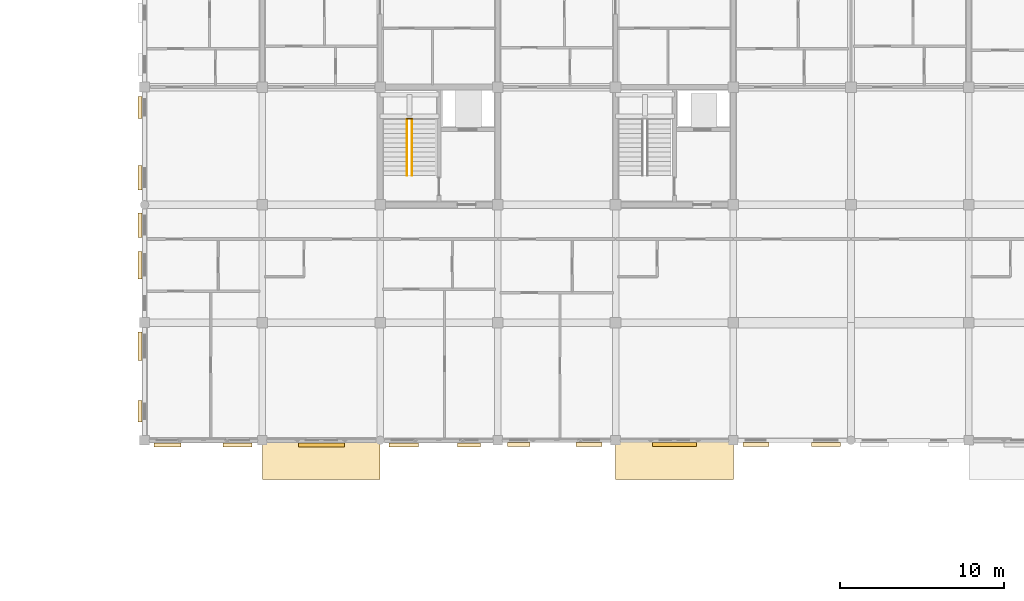
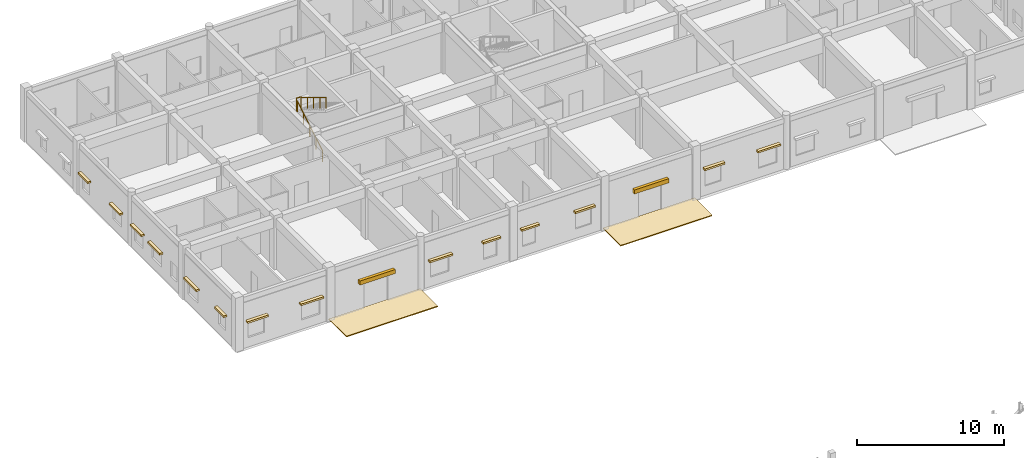
# One storey, part 135 of 138: 18 coverings, 3 railings.
"""IFC4 building model written with IfcOpenShell, lengths in metres."""

from ifc_helpers import new_model, si_unit, direction, frame, origin, origin_2d, place, context, subcontext, project, spatial, polyline, rectangle, circle, outline, extrude, material, layer, layer_set, type_object, element, save


model = new_model("IFC4")

# Units and contexts
model_context = context("Model", 3, precision=1e-05, world=origin(), true_north=direction((0.0, 1.0)))
body_context = subcontext(model_context, "Body", "Model", "MODEL_VIEW")
ifc_project = project(units=[si_unit("LENGTHUNIT", "METRE"), si_unit("AREAUNIT", "SQUARE_METRE"), si_unit("VOLUMEUNIT", "CUBIC_METRE"), si_unit("PLANEANGLEUNIT", "RADIAN"), si_unit("MASSUNIT", "GRAM", prefix="KILO"), si_unit("THERMODYNAMICTEMPERATUREUNIT", "KELVIN"), si_unit("POWERUNIT", "WATT")], contexts=[model_context])

# Site, building, storey
site_placement = place(None, origin())
site = spatial("IfcSite", under=ifc_project, at=site_placement, CompositionType="ELEMENT")
building_placement = place(site_placement, origin())
building = spatial("IfcBuilding", under=site, at=building_placement, Name="Tavuni Mirador Residences", CompositionType="ELEMENT")
storey_placement = place(building_placement, origin())
storey = spatial("IfcBuildingStorey", under=building, at=storey_placement, Name="L00", CompositionType="ELEMENT", Elevation=0.0)

# Coverings
ifc_material_1 = material(Name="Natural coral limestone", Category="masonry")
ifc_layer_1 = layer(ifc_material_1, 0.054931640625, Name="Natural coral limestone", Category="masonry")
ifc_layer_set_1 = layer_set([ifc_layer_1], Name="Natural coral limestone")
covering_type_1 = type_object("IfcCoveringType", Name="CVT-CLAD-CORAL", PredefinedType="CLADDING", material=ifc_layer_set_1)
covering_1_placement = place(storey_placement, frame((12.199951171875, 143.712890625, 2.1650390625), z_axis=(0.0, 0.0, 1.0), x_axis=(1.0, 0.0, 0.0)))
element("IfcCovering", 1, at=covering_1_placement, inside=storey, type_object=covering_type_1, Name="HOOD-0486", PredefinedType="CLADDING", context=body_context, shape_type="SweptSolid", body=[
    extrude(rectangle(XDim=1.639892578125, YDim=0.25, at=origin_2d()), origin(), (0.0, 0.0, 1.0), 0.14990234375),
])
covering_2_placement = place(storey_placement, frame((16.47998046875, 143.712890625, 2.1650390625), z_axis=(0.0, 0.0, 1.0), x_axis=(1.0, 0.0, 0.0)))
element("IfcCovering", 2, at=covering_2_placement, inside=storey, type_object=covering_type_1, Name="HOOD-0487", PredefinedType="CLADDING", context=body_context, shape_type="SweptSolid", body=[
    extrude(rectangle(XDim=1.800048828125, YDim=0.25, at=origin_2d()), origin(), (0.0, 0.0, 1.0), 0.14990234375),
])
covering_3_placement = place(storey_placement, frame((21.6201171875, 143.7255859375, 2.25), z_axis=(0.0, 0.0, 1.0), x_axis=(1.0, 0.0, 0.0)))
element("IfcCovering", 3, at=covering_3_placement, inside=storey, type_object=covering_type_1, Name="CLAD-BLK-C-S01", PredefinedType="CLADDING", context=body_context, shape_type="SweptSolid", body=[
    extrude(rectangle(XDim=2.800048828125, YDim=0.239990234375, at=origin_2d()), origin(), (0.0, 0.0, 1.0), 0.340087890625),
])
covering_4_placement = place(storey_placement, frame((26.639892578125, 143.7255859375, 2.1650390625), z_axis=(0.0, 0.0, 1.0), x_axis=(1.0, 0.0, 0.0)))
element("IfcCovering", 4, at=covering_4_placement, inside=storey, type_object=covering_type_1, Name="HOOD-0488", PredefinedType="CLADDING", context=body_context, shape_type="SweptSolid", body=[
    extrude(rectangle(XDim=1.800048828125, YDim=0.25, at=origin_2d()), origin(), (0.0, 0.0, 1.0), 0.14990234375),
])
for number, where, z_axis, x_axis, name in (
    (5, (30.635009765625, 143.7255859375, 2.2451171875), (0.0, 0.0, 1.0), (1.0, 0.0, 0.0), "HOOD-0489"),
    (6, (33.675048828125, 143.73291015625, 2.2451171875), (0.0, 0.0, 1.0), (1.0, 0.0, 0.0), "HOOD-0490"),
):
    element("IfcCovering", number, at=place(storey_placement, frame(where, z_axis=z_axis, x_axis=x_axis)), inside=storey, type_object=covering_type_1, Name=name, PredefinedType="CLADDING", context=body_context, shape_type="SweptSolid", body=[
        extrude(rectangle(XDim=1.389892578125, YDim=0.25, at=origin_2d()), origin(), (0.0, 0.0, 1.0), 0.14990234375),
    ])
covering_5_placement = place(storey_placement, frame((37.97509765625, 143.73291015625, 2.2451171875), z_axis=(0.0, 0.0, 1.0), x_axis=(1.0, 0.0, 0.0)))
element("IfcCovering", 7, at=covering_5_placement, inside=storey, type_object=covering_type_1, Name="HOOD-0491", PredefinedType="CLADDING", context=body_context, shape_type="SweptSolid", body=[
    extrude(rectangle(XDim=1.590087890625, YDim=0.25, at=origin_2d()), origin(), (0.0, 0.0, 1.0), 0.14990234375),
])
covering_6_placement = place(storey_placement, frame((43.199951171875, 143.74560546875, 2.25), z_axis=(0.0, 0.0, 1.0), x_axis=(1.0, 0.0, 0.0)))
element("IfcCovering", 8, at=covering_6_placement, inside=storey, type_object=covering_type_1, Name="CLAD-BLK-C-S04", PredefinedType="CLADDING", context=body_context, shape_type="SweptSolid", body=[
    extrude(rectangle(XDim=2.699951171875, YDim=0.239990234375, at=origin_2d()), origin(), (0.0, 0.0, 1.0), 0.340087890625),
])
covering_7_placement = place(storey_placement, frame((48.175048828125, 143.75048828125, 2.2451171875), z_axis=(0.0, 0.0, 1.0), x_axis=(1.0, 0.0, 0.0)))
element("IfcCovering", 9, at=covering_7_placement, inside=storey, type_object=covering_type_1, Name="HOOD-0492", PredefinedType="CLADDING", context=body_context, shape_type="SweptSolid", body=[
    extrude(rectangle(XDim=1.590087890625, YDim=0.25, at=origin_2d()), origin(), (0.0, 0.0, 1.0), 0.14990234375),
])
covering_8_placement = place(storey_placement, frame((52.47509765625, 143.75048828125, 2.2451171875), z_axis=(0.0, 0.0, 1.0), x_axis=(1.0, 0.0, 0.0)))
element("IfcCovering", 10, at=covering_8_placement, inside=storey, type_object=covering_type_1, Name="HOOD-0493", PredefinedType="CLADDING", context=body_context, shape_type="SweptSolid", body=[
    extrude(rectangle(XDim=1.7900390625, YDim=0.25, at=origin_2d()), origin(), (0.0, 0.0, 1.0), 0.14990234375),
])
covering_9_placement = place(storey_placement, frame((10.525390625, 164.35009765625, 1.955078125), z_axis=(0.0, 0.0, 1.0), x_axis=(0.0, -1.0, 0.0)))
element("IfcCovering", 11, at=covering_9_placement, inside=storey, type_object=covering_type_1, Name="HOOD-0526", PredefinedType="CLADDING", context=body_context, shape_type="SweptSolid", body=[
    extrude(rectangle(XDim=1.340087890625, YDim=0.25, at=origin_2d()), origin(), (0.0, 0.0, 1.0), 0.14990234375),
])
for number, where, z_axis, x_axis, name in (
    (12, (10.525390625, 160.070068359375, 1.955078125), (0.0, 0.0, 1.0), (0.0, -1.0, 0.0), "HOOD-0527"),
    (13, (10.5205078125, 157.14990234375, 1.955078125), (0.0, 0.0, 1.0), (0.0, -1.0, 0.0), "HOOD-0528"),
):
    element("IfcCovering", number, at=place(storey_placement, frame(where, z_axis=z_axis, x_axis=x_axis)), inside=storey, type_object=covering_type_1, Name=name, PredefinedType="CLADDING", context=body_context, shape_type="SweptSolid", body=[
        extrude(rectangle(XDim=1.5, YDim=0.25, at=origin_2d()), origin(), (0.0, 0.0, 1.0), 0.14990234375),
    ])
covering_10_placement = place(storey_placement, frame((10.5205078125, 154.7099609375, 1.955078125), z_axis=(0.0, 0.0, 1.0), x_axis=(0.0, -1.0, 0.0)))
element("IfcCovering", 14, at=covering_10_placement, inside=storey, type_object=covering_type_1, Name="HOOD-0529", PredefinedType="CLADDING", context=body_context, shape_type="SweptSolid", body=[
    extrude(rectangle(XDim=1.659912109375, YDim=0.25, at=origin_2d()), origin(), (0.0, 0.0, 1.0), 0.14990234375),
])
covering_11_placement = place(storey_placement, frame((10.512939453125, 149.75, 1.955078125), z_axis=(0.0, 0.0, 1.0), x_axis=(0.0, -1.0, 0.0)))
element("IfcCovering", 15, at=covering_11_placement, inside=storey, type_object=covering_type_1, Name="HOOD-0530", PredefinedType="CLADDING", context=body_context, shape_type="SweptSolid", body=[
    extrude(rectangle(XDim=1.739990234375, YDim=0.25, at=origin_2d()), origin(), (0.0, 0.0, 1.0), 0.14990234375),
])
covering_12_placement = place(storey_placement, frame((10.512939453125, 145.77001953125, 2.06494140625), z_axis=(0.0, 0.0, 1.0), x_axis=(0.0, -1.0, 0.0)))
element("IfcCovering", 16, at=covering_12_placement, inside=storey, type_object=covering_type_1, Name="HOOD-0531", PredefinedType="CLADDING", context=body_context, shape_type="SweptSolid", body=[
    extrude(rectangle(XDim=1.300048828125, YDim=0.25, at=origin_2d()), origin(), (0.0, 0.0, 1.0), 0.14990234375),
])
ifc_material_2 = material(Name="Dressed coral-stone paving", Category="masonry")
ifc_layer_2 = layer(ifc_material_2, 0.080078125, Name="Dressed coral-stone paving", Category="masonry")
ifc_layer_set_2 = layer_set([ifc_layer_2], Name="Dressed coral-stone paving")
covering_type_2 = type_object("IfcCoveringType", Name="CVT-PAV-COURT", PredefinedType="USERDEFINED", material=ifc_layer_set_2)
covering_13_placement = place(storey_placement, frame((0.0, 0.0, -0.080078125)))
element("IfcCovering", 17, at=covering_13_placement, inside=storey, type_object=covering_type_2, Name="PAV-APR-BLKC-S1", ObjectType="PAVING", PredefinedType="USERDEFINED", context=body_context, shape_type="SweptSolid", body=[
    extrude(outline(polyline([(18.0, 141.60009765625), (25.199951171875, 141.60009765625), (25.199951171875, 144.0), (18.0, 144.0), (18.0, 141.60009765625)])), origin(), (0.0, 0.0, 1.0), 0.080078125),
])
covering_14_placement = place(storey_placement, frame((0.0, 0.0, -0.080078125)))
element("IfcCovering", 18, at=covering_14_placement, inside=storey, type_object=covering_type_2, Name="PAV-APR-BLKC-S2", ObjectType="PAVING", PredefinedType="USERDEFINED", context=body_context, shape_type="SweptSolid", body=[
    extrude(outline(polyline([(39.60009765625, 141.60009765625), (46.800048828125, 141.60009765625), (46.800048828125, 144.0), (39.60009765625, 144.0), (39.60009765625, 141.60009765625)])), origin(), (0.0, 0.0, 1.0), 0.080078125),
])

# Railings
ifc_material_3 = material(Name="Structural steel S355", Category="steel")
railing_type_1 = type_object("IfcRailingType", Name="RT-GR1120", PredefinedType="GUARDRAIL", material=ifc_material_3)
railing_1_placement = place(storey_placement, frame((26.820068359375, 163.659912109375, 2.25)))
element("IfcRailing", 19, at=railing_1_placement, inside=storey, type_object=railing_type_1, Name="GRD-HL-ST5-L00", PredefinedType="GUARDRAIL", context=body_context, shape_type="SweptSolid", body=[
    extrude(circle(Radius=0.02392578125, at=origin_2d()), frame((0.0, 0.0, 1.09619140625), z_axis=(1.0, 0.0, 0.0), x_axis=(0.0, 1.0, 0.0)), (0.0, 0.0, 1.0), 0.35986328125),
    extrude(circle(Radius=0.02099609375, at=origin_2d()), origin(), (0.0, 0.0, 1.0), 1.072021484375),
    extrude(circle(Radius=0.02099609375, at=origin_2d()), frame((0.35986328125, 0.0, 0.0)), (0.0, 0.0, 1.0), 1.072021484375),
])
railing_type_2 = type_object("IfcRailingType", Name="RT-HR920", PredefinedType="HANDRAIL", material=ifc_material_3)
railing_2_placement = place(storey_placement, frame((26.85009765625, 160.199951171875, 0.173095703125)))
element("IfcRailing", 20, at=railing_2_placement, inside=storey, type_object=railing_type_2, Name="HR-ST5-L00-F1", PredefinedType="HANDRAIL", context=body_context, shape_type="SweptSolid", body=[
    extrude(circle(Radius=0.02392578125, at=origin_2d()), frame((0.0, 0.0, 0.89599609375), z_axis=(0.0, 0.854745945586, 0.519046595696), x_axis=(-1.0, 0.0, 0.0)), (0.0, 0.0, 1.0), 4.00146484375),
    extrude(circle(Radius=0.02099609375, at=origin_2d()), origin(), (0.0, 0.0, 1.0), 0.871826171875),
    extrude(circle(Radius=0.02099609375, at=origin_2d()), frame((0.0, 0.85498046875, 0.519287109375)), (0.0, 0.0, 1.0), 0.871826171875),
    extrude(circle(Radius=0.02099609375, at=origin_2d()), frame((0.0, 1.7099609375, 1.03857421875)), (0.0, 0.0, 1.0), 0.871826171875),
    extrude(circle(Radius=0.02099609375, at=origin_2d()), frame((0.0, 2.565185546875, 1.5576171875)), (0.0, 0.0, 1.0), 0.871826171875),
    extrude(circle(Radius=0.02099609375, at=origin_2d()), frame((0.0, 3.420166015625, 2.076904296875)), (0.0, 0.0, 1.0), 0.871826171875),
])
railing_3_placement = place(storey_placement, frame((27.14990234375, 163.6201171875, 2.423095703125)))
element("IfcRailing", 21, at=railing_3_placement, inside=storey, type_object=railing_type_2, Name="HR-ST5-L00-F2", PredefinedType="HANDRAIL", context=body_context, shape_type="SweptSolid", body=[
    extrude(circle(Radius=0.02392578125, at=origin_2d()), frame((0.0, 0.0, 0.89599609375), z_axis=(0.0, -0.854745945586, 0.519046595696), x_axis=(1.0, 0.0, 0.0)), (0.0, 0.0, 1.0), 4.00146484375),
    extrude(circle(Radius=0.02099609375, at=origin_2d()), origin(), (0.0, 0.0, 1.0), 0.871826171875),
    extrude(circle(Radius=0.02099609375, at=origin_2d()), frame((0.0, -0.85498046875, 0.519287109375)), (0.0, 0.0, 1.0), 0.871826171875),
    extrude(circle(Radius=0.02099609375, at=origin_2d()), frame((0.0, -1.7099609375, 1.03857421875)), (0.0, 0.0, 1.0), 0.871826171875),
    extrude(circle(Radius=0.02099609375, at=origin_2d()), frame((0.0, -2.565185546875, 1.5576171875)), (0.0, 0.0, 1.0), 0.871826171875),
    extrude(circle(Radius=0.02099609375, at=origin_2d()), frame((0.0, -3.420166015625, 2.076904296875)), (0.0, 0.0, 1.0), 0.871826171875),
])

save(model, "model.ifc")
